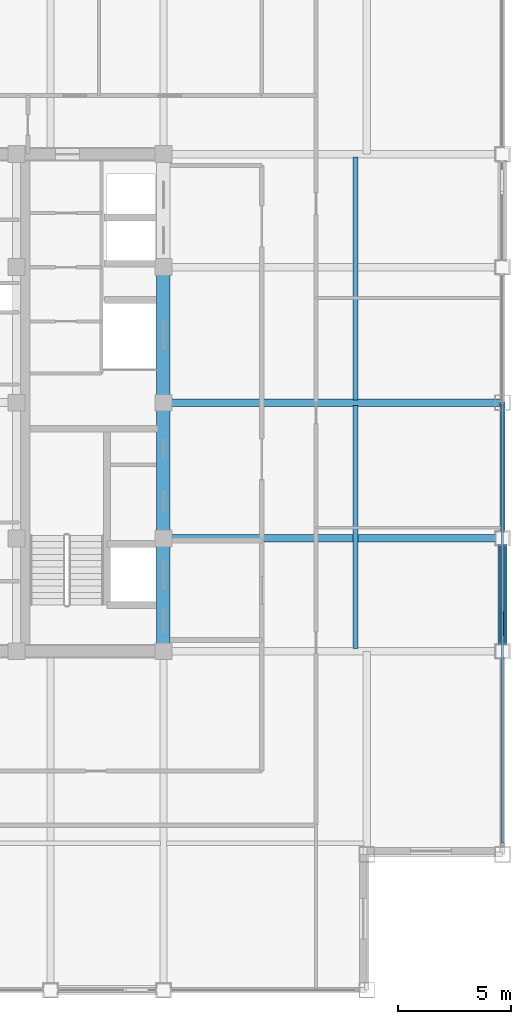
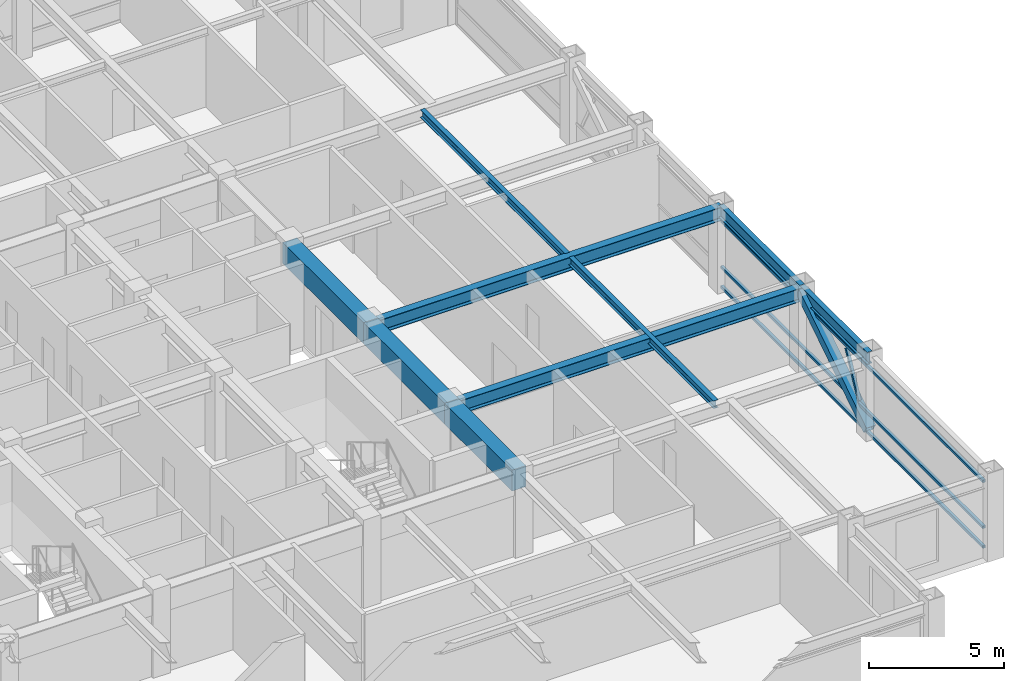
# One storey, part 11 of 29: 9 beams, 5 members, 1 element without a shape of its own.
"""IFC4 building model written with IfcOpenShell, lengths in metres."""

from ifc_helpers import new_model, si_unit, direction, frame, origin, origin_2d, place, context, subcontext, project, spatial, rectangle, hollow_rectangle, i_section, extrude, source, transform, mapped, material, material_profile, profile_set, type_object, element, aggregate, save


model = new_model("IFC4")

# Units and contexts
model_context = context("Model", 3, precision=1e-05, world=origin(), true_north=direction((0.0, 1.0)))
body_context = subcontext(model_context, "Body", "Model", "MODEL_VIEW")
ifc_project = project(units=[si_unit("LENGTHUNIT", "METRE"), si_unit("AREAUNIT", "SQUARE_METRE"), si_unit("VOLUMEUNIT", "CUBIC_METRE"), si_unit("PLANEANGLEUNIT", "RADIAN"), si_unit("MASSUNIT", "GRAM", prefix="KILO")], contexts=[model_context])

# Site, building, storey
site_placement = place(None, origin())
site = spatial("IfcSite", under=ifc_project, at=site_placement, CompositionType="ELEMENT")
building_placement = place(site_placement, origin())
building = spatial("IfcBuilding", under=site, at=building_placement, Name="Khorayat Bourse Tower", CompositionType="ELEMENT")
storey_placement = place(building_placement, frame((0.0, 0.0, 366.300048828125)))
storey = spatial("IfcBuildingStorey", under=building, at=storey_placement, Name="L87", CompositionType="ELEMENT", Elevation=366.300048828125)

# Beams
ifc_material_1 = material(Name="Concrete C60/75", Category="concrete")
ifc_material_profile_1 = material_profile(ifc_material_1, rectangle(XDim=0.60009765625, YDim=0.949951171875, at=origin_2d()), Name="RC 600x950")
ifc_profile_set_1 = profile_set([ifc_material_profile_1], Name="Concrete C60/75")
beam_type_1 = type_object("IfcBeamType", Name="BM-COUP-950", PredefinedType="BEAM", material=ifc_profile_set_1)
shared_shape_1 = source(origin(), body_context, "Body", "SweptSolid", [
    extrude(rectangle(XDim=0.60009765625, YDim=0.949951171875, at=origin_2d()), origin(), (0.0, 0.0, 1.0), 5.0),
])
beam_1_placement = place(storey_placement, frame((11.0, -11.0, 3.264892578125), z_axis=(0.0, 1.0, 0.0), x_axis=(-1.0, 0.0, 0.0)))
element("IfcBeam", 1, at=beam_1_placement, inside=storey, type_object=beam_type_1, Name="L87 BM-COUP-950 BM-L87-CRX-13", PredefinedType="BEAM", context=body_context, shape_type="MappedRepresentation", body=[
    mapped(shared_shape_1, transform((0.0, 0.0, 0.0), scale=1.0)),
])
shared_shape_2 = source(origin(), body_context, "Body", "SweptSolid", [
    extrude(rectangle(XDim=0.60009765625, YDim=0.949951171875, at=origin_2d()), origin(), (0.0, 0.0, 1.0), 6.0),
])
for number, where, z_axis, x_axis, name in (
    (2, (11.0, -6.0, 3.264892578125), (0.0, 1.0, 0.0), (-1.0, 0.0, 0.0), "L87 BM-COUP-950 BM-L87-CRX-14"),
    (3, (11.0, 0.0, 3.264892578125), (0.0, 1.0, 0.0), (-1.0, 0.0, 0.0), "L87 BM-COUP-950 BM-L87-CRX-15"),
):
    element("IfcBeam", number, at=place(storey_placement, frame(where, z_axis=z_axis, x_axis=x_axis)), inside=storey, type_object=beam_type_1, Name=name, PredefinedType="BEAM", context=body_context, shape_type="MappedRepresentation", body=[
        mapped(shared_shape_2, transform((0.0, 0.0, 0.0), scale=1.0)),
    ])
ifc_material_2 = material(Name="Steel ASTM A992 Grade 50", Category="steel")
ifc_material_profile_2 = material_profile(ifc_material_2, i_section(OverallWidth=0.202880859375, OverallDepth=0.346923828125, WebThickness=0.0078125, FlangeThickness=0.013427734375, FilletRadius=0.010009765625, at=origin_2d()), Name="W360X64")
ifc_profile_set_2 = profile_set([ifc_material_profile_2], Name="Steel ASTM A992 Grade 50")
beam_type_2 = type_object("IfcBeamType", Name="BM-JOIST-360", PredefinedType="JOIST", material=ifc_profile_set_2)
shared_shape_3 = source(origin(), body_context, "Body", "SweptSolid", [
    extrude(i_section(OverallWidth=0.202880859375, OverallDepth=0.346923828125, WebThickness=0.0078125, FlangeThickness=0.013427734375, FilletRadius=0.010009765625, at=origin_2d()), origin(), (0.0, 0.0, 1.0), 10.740234375),
])
for number, where, z_axis, x_axis, name in (
    (4, (19.5, -10.8701171875, 3.56640625), (0.0, 1.0, 0.0), (-1.0, 0.0, 0.0), "L87 BM-JOIST-360 BM-L87-JSTY-088"),
    (5, (19.5, 0.1298828125, 3.56640625), (0.0, 1.0, 0.0), (-1.0, 0.0, 0.0), "L87 BM-JOIST-360 BM-L87-JSTY-089"),
):
    element("IfcBeam", number, at=place(storey_placement, frame(where, z_axis=z_axis, x_axis=x_axis)), inside=storey, type_object=beam_type_2, Name=name, PredefinedType="JOIST", context=body_context, shape_type="MappedRepresentation", body=[
        mapped(shared_shape_3, transform((0.0, 0.0, 0.0), scale=1.0)),
    ])
ifc_material_profile_3 = material_profile(ifc_material_2, i_section(OverallWidth=0.214111328125, OverallDepth=0.549072265625, WebThickness=0.0146484375, FlangeThickness=0.023681640625, FilletRadius=0.013916015625, at=origin_2d()), Name="W530X138")
ifc_profile_set_3 = profile_set([ifc_material_profile_3], Name="Steel ASTM A992 Grade 50")
beam_type_3 = type_object("IfcBeamType", Name="BM-SPAN-530", PredefinedType="SPANDREL", material=ifc_profile_set_3)
shared_shape_4 = source(origin(), body_context, "Body", "SweptSolid", [
    extrude(i_section(OverallWidth=0.214111328125, OverallDepth=0.549072265625, WebThickness=0.0146484375, FlangeThickness=0.023681640625, FilletRadius=0.013916015625, at=origin_2d()), origin(), (0.0, 0.0, 1.0), 5.0),
])
beam_2_placement = place(storey_placement, frame((26.0, -11.0, 3.46533203125), z_axis=(0.0, 1.0, 0.0), x_axis=(-1.0, 0.0, 0.0)))
element("IfcBeam", 6, at=beam_2_placement, inside=storey, type_object=beam_type_3, Name="L87 BM-SPAN-530 BM-L87-SPN-033", PredefinedType="SPANDREL", context=body_context, shape_type="MappedRepresentation", body=[
    mapped(shared_shape_4, transform((0.0, 0.0, 0.0), scale=1.0)),
])
shared_shape_5 = source(origin(), body_context, "Body", "SweptSolid", [
    extrude(i_section(OverallWidth=0.214111328125, OverallDepth=0.549072265625, WebThickness=0.0146484375, FlangeThickness=0.023681640625, FilletRadius=0.013916015625, at=origin_2d()), origin(), (0.0, 0.0, 1.0), 6.0),
])
beam_3_placement = place(storey_placement, frame((26.0, -6.0, 3.46533203125), z_axis=(0.0, 1.0, 0.0), x_axis=(-1.0, 0.0, 0.0)))
element("IfcBeam", 7, at=beam_3_placement, inside=storey, type_object=beam_type_3, Name="L87 BM-SPAN-530 BM-L87-SPN-034", PredefinedType="SPANDREL", context=body_context, shape_type="MappedRepresentation", body=[
    mapped(shared_shape_5, transform((0.0, 0.0, 0.0), scale=1.0)),
])
ifc_material_profile_4 = material_profile(ifc_material_2, i_section(OverallWidth=0.324951171875, OverallDepth=0.615966796875, WebThickness=0.013916015625, FlangeThickness=0.021484375, FilletRadius=0.01611328125, at=origin_2d()), Name="W610X174")
ifc_profile_set_4 = profile_set([ifc_material_profile_4], Name="Steel ASTM A992 Grade 50")
beam_type_4 = type_object("IfcBeamType", Name="BM-GIRD-610", PredefinedType="BEAM", material=ifc_profile_set_4)
shared_shape_6 = source(origin(), body_context, "Body", "SweptSolid", [
    extrude(i_section(OverallWidth=0.324951171875, OverallDepth=0.615966796875, WebThickness=0.013916015625, FlangeThickness=0.021484375, FilletRadius=0.01611328125, at=origin_2d()), origin(), (0.0, 0.0, 1.0), 15.0),
])
for number, where, z_axis, x_axis, name in (
    (8, (11.0, -6.0, 3.431884765625), (1.0, 0.0, 0.0), (0.0, 1.0, 0.0), "L87 BM-GIRD-610 BM-L87-RADX-068"),
    (9, (11.0, 0.0, 3.431884765625), (1.0, 0.0, 0.0), (0.0, 1.0, 0.0), "L87 BM-GIRD-610 BM-L87-RADX-070"),
):
    element("IfcBeam", number, at=place(storey_placement, frame(where, z_axis=z_axis, x_axis=x_axis)), inside=storey, type_object=beam_type_4, Name=name, PredefinedType="BEAM", context=body_context, shape_type="MappedRepresentation", body=[
        mapped(shared_shape_6, transform((0.0, 0.0, 0.0), scale=1.0)),
    ])

# Member
ifc_material_3 = material(Name="Steel EN 10025-4 S460M", Category="steel")
ifc_material_profile_5 = material_profile(ifc_material_3, hollow_rectangle(XDim=0.39990234375, YDim=0.39990234375, WallThickness=0.02197265625, at=origin_2d()), Name="HSS 400x400x22")
ifc_profile_set_5 = profile_set([ifc_material_profile_5], Name="Steel EN 10025-4 S460M")
member_type_1 = type_object("IfcMemberType", Name="MBR-TUBE-400", PredefinedType="BRACE", material=ifc_profile_set_5)
shared_shape_7 = source(origin(), body_context, "Body", "SweptSolid", [
    extrude(hollow_rectangle(XDim=0.39990234375, YDim=0.39990234375, WallThickness=0.02197265625, at=origin_2d()), origin(), (0.0, 0.0, 1.0), 5.9580078125),
])
member_1_placement = place(storey_placement, frame((26.0, -11.0, 0.25), z_axis=(0.0, 0.839210474455, 0.543806748364), x_axis=(-1.0, 0.0, 0.0)))
element("IfcMember", 10, at=member_1_placement, inside=storey, type_object=member_type_1, Name="L87 Perimeter Tube Brace 07", PredefinedType="BRACE", context=body_context, shape_type="MappedRepresentation", body=[
    mapped(shared_shape_7, transform((0.0, 0.0, 0.0), scale=1.0)),
])

# Curtain wall, members
ifc_material_4 = material(Name="Aluminium EN AW-6063 T6", Category="aluminium")
curtain_wall_type = type_object("IfcCurtainWallType", Name="CW-SYS-04", PredefinedType="NOTDEFINED", material=ifc_material_4)
curtain_wall_placement = place(storey_placement, origin())
curtain_wall = element("IfcCurtainWall", 11, at=curtain_wall_placement, inside=storey, type_object=curtain_wall_type, Name="L87 Curtain Wall CW-L87-E1", PredefinedType="NOTDEFINED")
ifc_material_profile_6 = material_profile(ifc_material_4, hollow_rectangle(XDim=0.1201171875, YDim=0.1201171875, WallThickness=0.0048828125, at=origin_2d()), Name="ALU 120x120x5")
ifc_profile_set_6 = profile_set([ifc_material_profile_6], Name="Aluminium EN AW-6063 T6")
member_type_2 = type_object("IfcMemberType", Name="CWM-DIAG-120", PredefinedType="MULLION", material=ifc_profile_set_6)
shared_shape_8 = source(origin(), body_context, "Body", "SweptSolid", [
    extrude(hollow_rectangle(XDim=0.1201171875, YDim=0.1201171875, WallThickness=0.0048828125, at=origin_2d()), origin(), (0.0, 0.0, 1.0), 2.0341796875),
])
member_2_placement = place(storey_placement, frame((26.0, -10.24365234375, 1.08984375), z_axis=(0.0, 0.465696964104, 0.884944256789), x_axis=(-1.0, 0.0, 0.0)))
member_2 = element("IfcMember", 12, at=member_2_placement, type_object=member_type_2, Name="CW-L87-E1 Faceted Diagonal Mullion 1", PredefinedType="MULLION", context=body_context, shape_type="MappedRepresentation", body=[
    mapped(shared_shape_8, transform((0.0, 0.0, 0.0), scale=1.0)),
])
ifc_material_profile_7 = material_profile(ifc_material_4, hollow_rectangle(XDim=0.1201171875, YDim=0.1201171875, WallThickness=0.0048828125, at=origin_2d()), Name="ALU 120x120x5")
ifc_profile_set_7 = profile_set([ifc_material_profile_7], Name="Aluminium EN AW-6063 T6")
member_type_3 = type_object("IfcMemberType", Name="CWT-HORZ-120", PredefinedType="USERDEFINED", material=ifc_profile_set_7)
shared_shape_9 = source(origin(), body_context, "Body", "SweptSolid", [
    extrude(hollow_rectangle(XDim=0.1201171875, YDim=0.1201171875, WallThickness=0.0048828125, at=origin_2d()), origin(), (0.0, 0.0, 1.0), 19.419921875),
])
member_3_placement = place(storey_placement, frame((26.0, -19.47998046875, 0.06005859375), z_axis=(0.0, 1.0, 0.0), x_axis=(-1.0, 0.0, 0.0)))
member_3 = element("IfcMember", 13, at=member_3_placement, type_object=member_type_3, Name="CW-L87-E1 Horizontal Transom 1-1", ObjectType="TRANSOM", PredefinedType="USERDEFINED", context=body_context, shape_type="MappedRepresentation", body=[
    mapped(shared_shape_9, transform((0.0, 0.0, 0.0), scale=1.0)),
])
member_4_placement = place(storey_placement, frame((26.0, -19.47998046875, 0.949951171875), z_axis=(0.0, 1.0, 0.0), x_axis=(-1.0, 0.0, 0.0)))
member_4 = element("IfcMember", 14, at=member_4_placement, type_object=member_type_3, Name="CW-L87-E1 Horizontal Transom 1-2", ObjectType="TRANSOM", PredefinedType="USERDEFINED", context=body_context, shape_type="MappedRepresentation", body=[
    mapped(shared_shape_9, transform((0.0, 0.0, 0.0), scale=1.0)),
])
member_5_placement = place(storey_placement, frame((26.0, -19.47998046875, 3.030029296875), z_axis=(0.0, 1.0, 0.0), x_axis=(-1.0, 0.0, 0.0)))
member_5 = element("IfcMember", 15, at=member_5_placement, type_object=member_type_3, Name="CW-L87-E1 Horizontal Transom 1-3", ObjectType="TRANSOM", PredefinedType="USERDEFINED", context=body_context, shape_type="MappedRepresentation", body=[
    mapped(shared_shape_9, transform((0.0, 0.0, 0.0), scale=1.0)),
])
aggregate(curtain_wall, [member_3, member_4, member_5, member_2])

save(model, "model.ifc")
